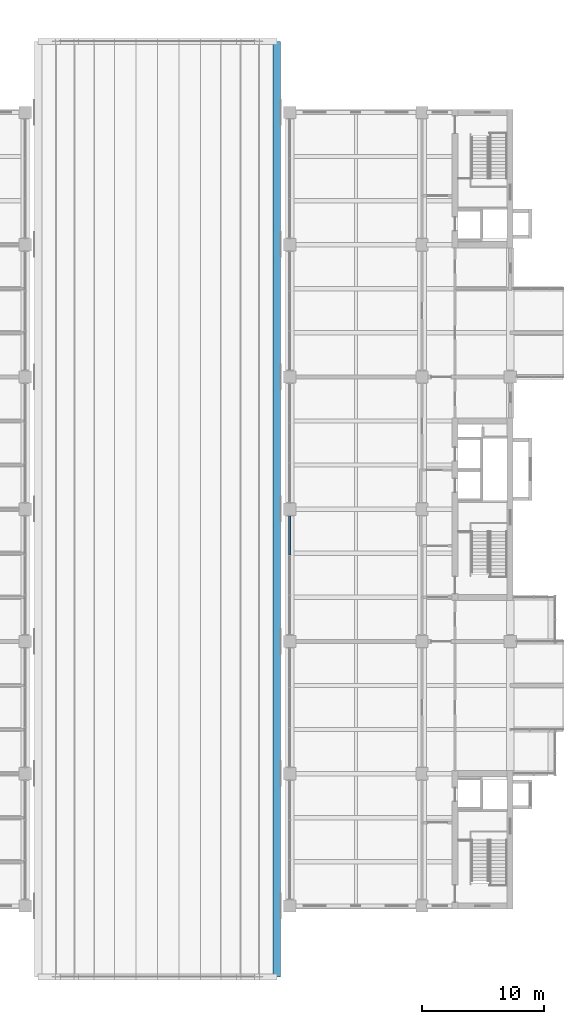
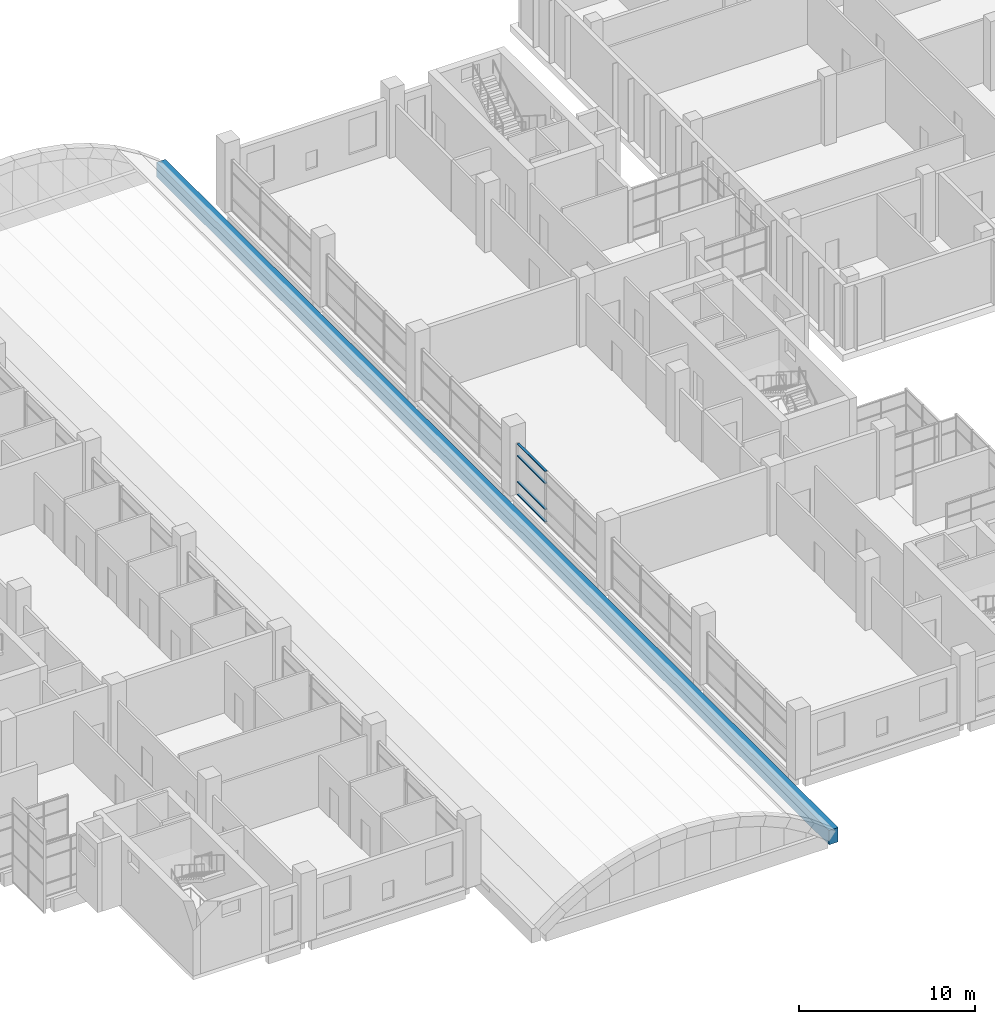
# One storey, part 13 of 45: 4 members, 1 beam, 1 element without a shape of its own.
"""IFC4 building model written with IfcOpenShell, lengths in metres."""

from ifc_helpers import new_model, si_unit, direction, frame, origin, origin_2d, place, context, subcontext, project, spatial, rectangle, extrude, material, layer, layer_set, material_profile, profile_set, type_object, element, aggregate, save


model = new_model("IFC4")

# Units and contexts
model_context = context("Model", 3, precision=1e-05, world=origin(), true_north=direction((0.0, 1.0)))
body_context = subcontext(model_context, "Body", "Model", "MODEL_VIEW")
ifc_project = project(units=[si_unit("LENGTHUNIT", "METRE"), si_unit("AREAUNIT", "SQUARE_METRE"), si_unit("VOLUMEUNIT", "CUBIC_METRE"), si_unit("PLANEANGLEUNIT", "RADIAN"), si_unit("MASSUNIT", "GRAM", prefix="KILO")], contexts=[model_context])

# Site, building, storey
site_placement = place(None, origin())
site = spatial("IfcSite", under=ifc_project, at=site_placement, CompositionType="ELEMENT")
building_placement = place(site_placement, origin())
building = spatial("IfcBuilding", under=site, at=building_placement, Name="Basin Gate Institute", CompositionType="ELEMENT")
storey_placement = place(building_placement, frame((0.0, 0.0, 22.199951171875)))
storey = spatial("IfcBuildingStorey", under=building, at=storey_placement, Name="L04", CompositionType="ELEMENT", Elevation=22.199951171875)

# Beam
ifc_material_1 = material(Name="Concrete 40 MPa", Category="concrete")
ifc_material_profile_1 = material_profile(ifc_material_1, rectangle(XDim=0.60009765625, YDim=1.0, at=origin_2d()), Name="Shell edge beam ES1 600 x 1000")
ifc_profile_set_1 = profile_set([ifc_material_profile_1], Name="Concrete 40 MPa")
beam_type = type_object("IfcBeamType", Name="Shell edge beam ES1 R120", PredefinedType="BEAM", material=ifc_profile_set_1)
beam_placement = place(storey_placement, frame((99.75, 29.300048828125, -0.5), z_axis=(0.0, 1.0, 0.0), x_axis=(-1.0, 0.0, 0.0)))
element("IfcBeam", 1, at=beam_placement, inside=storey, type_object=beam_type, material=ifc_profile_set_1, Name="Atrium shell edge beam B", PredefinedType="BEAM", context=body_context, shape_type="SweptSolid", body=[
    extrude(rectangle(XDim=0.60009765625, YDim=1.0, at=origin_2d()), origin(), (0.0, 0.0, 1.0), 76.39990234375),
])

# Curtain wall, members
ifc_material_2 = material(Name="Aluminium-framed glazing", Category="aluminium")
ifc_layer = layer(ifc_material_2, 0.199951171875)
ifc_layer_set = layer_set([ifc_layer], Name="Atrium curtain wall CW2")
curtain_wall_type = type_object("IfcCurtainWallType", Name="Atrium curtain wall CW2", PredefinedType="NOTDEFINED", material=ifc_layer_set)
curtain_wall_placement = place(storey_placement, origin())
curtain_wall = element("IfcCurtainWall", 2, at=curtain_wall_placement, inside=storey, type_object=curtain_wall_type, material=ifc_layer_set, Name="Atrium curtain wall E wing atrium bay 3 L04", PredefinedType="NOTDEFINED")
ifc_material_3 = material(Name="Aluminium", Category="aluminium")
ifc_material_profile_2 = material_profile(ifc_material_3, rectangle(XDim=0.14990234375, YDim=0.06005859375, at=origin_2d()), Name="Transom TR2 150 x 60")
ifc_profile_set_2 = profile_set([ifc_material_profile_2], Name="Aluminium")
member_type = type_object("IfcMemberType", Name="Transom TR2", PredefinedType="USERDEFINED", material=ifc_profile_set_2)
member_1_placement = place(storey_placement, frame((100.800048828125, 63.763427734375, 0.030029296875), z_axis=(0.0, 1.0, 0.0), x_axis=(-1.0, 0.0, 0.0)))
member_1 = element("IfcMember", 3, at=member_1_placement, type_object=member_type, material=ifc_profile_set_2, Name="CW2 transom 3.1", ObjectType="TRANSOM", PredefinedType="USERDEFINED", context=body_context, shape_type="SweptSolid", body=[
    extrude(rectangle(XDim=0.14990234375, YDim=0.06005859375, at=origin_2d()), origin(), (0.0, 0.0, 1.0), 3.176513671875),
])
member_2_placement = place(storey_placement, frame((100.800048828125, 63.763427734375, 0.900146484375), z_axis=(0.0, 1.0, 0.0), x_axis=(-1.0, 0.0, 0.0)))
member_2 = element("IfcMember", 4, at=member_2_placement, type_object=member_type, material=ifc_profile_set_2, Name="CW2 transom 3.2", ObjectType="TRANSOM", PredefinedType="USERDEFINED", context=body_context, shape_type="SweptSolid", body=[
    extrude(rectangle(XDim=0.14990234375, YDim=0.06005859375, at=origin_2d()), origin(), (0.0, 0.0, 1.0), 3.176513671875),
])
member_3_placement = place(storey_placement, frame((100.800048828125, 63.763427734375, 2.699951171875), z_axis=(0.0, 1.0, 0.0), x_axis=(-1.0, 0.0, 0.0)))
member_3 = element("IfcMember", 5, at=member_3_placement, type_object=member_type, material=ifc_profile_set_2, Name="CW2 transom 3.3", ObjectType="TRANSOM", PredefinedType="USERDEFINED", context=body_context, shape_type="SweptSolid", body=[
    extrude(rectangle(XDim=0.14990234375, YDim=0.06005859375, at=origin_2d()), origin(), (0.0, 0.0, 1.0), 3.176513671875),
])
member_4_placement = place(storey_placement, frame((100.800048828125, 63.763427734375, 3.52001953125), z_axis=(0.0, 1.0, 0.0), x_axis=(-1.0, 0.0, 0.0)))
member_4 = element("IfcMember", 6, at=member_4_placement, type_object=member_type, material=ifc_profile_set_2, Name="CW2 transom 3.4", ObjectType="TRANSOM", PredefinedType="USERDEFINED", context=body_context, shape_type="SweptSolid", body=[
    extrude(rectangle(XDim=0.14990234375, YDim=0.06005859375, at=origin_2d()), origin(), (0.0, 0.0, 1.0), 3.176513671875),
])
aggregate(curtain_wall, [member_1, member_2, member_3, member_4])

save(model, "model.ifc")
